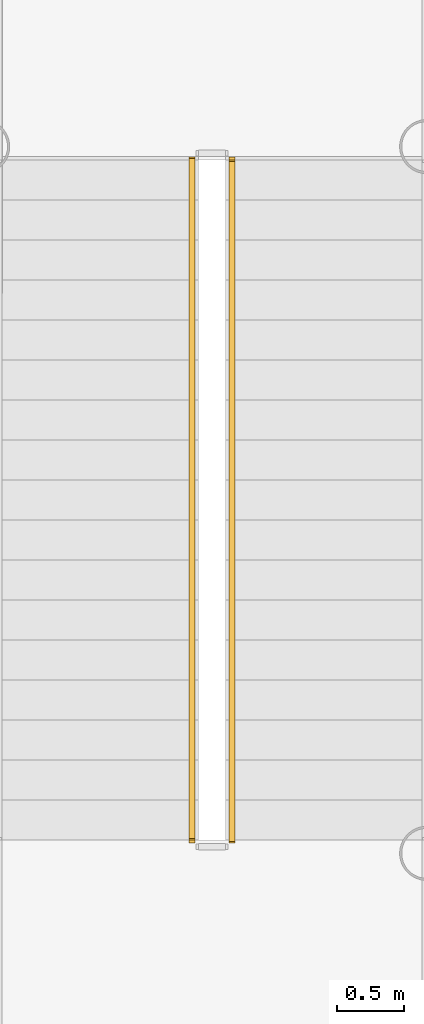
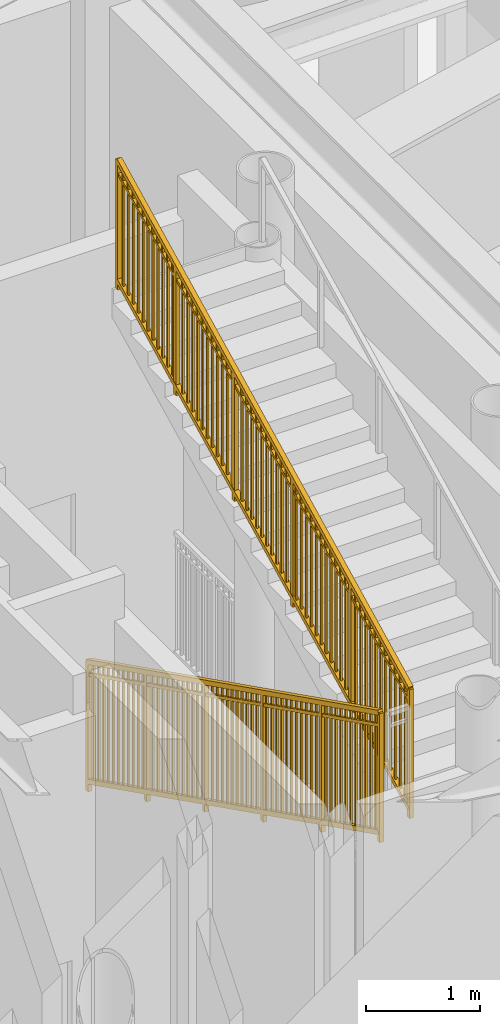
# One storey, part 21 of 22: 2 railings.
"""IFC4 building model written with IfcOpenShell, lengths in metres."""

from ifc_helpers import new_model, si_unit, direction, frame, origin, origin_2d, place, context, subcontext, project, spatial, rectangle, extrude, source, transform, mapped, material, type_object, element, save


model = new_model("IFC4")

# Units and contexts
model_context = context("Model", 3, precision=1e-05, world=origin(), true_north=direction((0.0, 1.0)))
body_context = subcontext(model_context, "Body", "Model", "MODEL_VIEW")
ifc_project = project(units=[si_unit("LENGTHUNIT", "METRE"), si_unit("AREAUNIT", "SQUARE_METRE"), si_unit("VOLUMEUNIT", "CUBIC_METRE"), si_unit("PLANEANGLEUNIT", "RADIAN"), si_unit("MASSUNIT", "GRAM", prefix="KILO")], contexts=[model_context])

# Site, building, storey
site_placement = place(None, origin())
site = spatial("IfcSite", under=ifc_project, at=site_placement, CompositionType="ELEMENT")
building_placement = place(site_placement, origin())
building = spatial("IfcBuilding", under=site, at=building_placement, Name="Linh Dai School and Residence Tower", CompositionType="ELEMENT")
storey_placement = place(building_placement, frame((0.0, 0.0, 87.0)))
storey = spatial("IfcBuildingStorey", under=building, at=storey_placement, Name="L20", CompositionType="ELEMENT", Elevation=87.0)

# Railings
ifc_material = material(Name="Structural Steel S355JR", Category="steel")
railing_type = type_object("IfcRailingType", Name="RL-ST-GUARD-1400", PredefinedType="GUARDRAIL", material=ifc_material)
shared_shape_1 = source(origin(), body_context, "Body", "SweptSolid", [
    extrude(rectangle(XDim=0.048095703125, YDim=0.048095703125, at=origin_2d()), frame((0.0, 0.0, 1.3759765625), z_axis=(0.0, 0.89444431709, 0.44717934168), x_axis=(-1.0, 0.0, 0.0)), (0.0, 0.0, 1.0), 5.701904296875),
    extrude(rectangle(XDim=0.048095703125, YDim=0.048095703125, at=origin_2d()), frame((0.0, 0.0, 0.10009765625), z_axis=(0.0, 0.89444431709, 0.44717934168), x_axis=(-1.0, 0.0, 0.0)), (0.0, 0.0, 1.0), 5.701904296875),
    extrude(rectangle(XDim=0.030029296875, YDim=0.030029296875, at=origin_2d()), frame((0.0, 0.0, 1.239990234375), z_axis=(0.0, 0.89444431709, 0.44717934168), x_axis=(-1.0, 0.0, 0.0)), (0.0, 0.0, 1.0), 5.701904296875),
    extrude(rectangle(XDim=0.02001953125, YDim=0.02001953125, at=origin_2d()), frame((0.0, 0.08642578125, 0.143310546875)), (0.0, 0.0, 1.0), 1.251708984375),
    extrude(rectangle(XDim=0.02001953125, YDim=0.02001953125, at=origin_2d()), frame((0.0, 0.1728515625, 0.1865234375)), (0.0, 0.0, 1.0), 1.251708984375),
    extrude(rectangle(XDim=0.02001953125, YDim=0.02001953125, at=origin_2d()), frame((0.0, 0.25927734375, 0.229736328125)), (0.0, 0.0, 1.0), 1.251708984375),
    extrude(rectangle(XDim=0.02001953125, YDim=0.02001953125, at=origin_2d()), frame((0.0, 0.345703125, 0.27294921875)), (0.0, 0.0, 1.0), 1.251708984375),
    extrude(rectangle(XDim=0.02001953125, YDim=0.02001953125, at=origin_2d()), frame((0.0, 0.43212890625, 0.316162109375)), (0.0, 0.0, 1.0), 1.251708984375),
    extrude(rectangle(XDim=0.02001953125, YDim=0.02001953125, at=origin_2d()), frame((0.0, 0.5185546875, 0.359375)), (0.0, 0.0, 1.0), 1.251708984375),
    extrude(rectangle(XDim=0.02001953125, YDim=0.02001953125, at=origin_2d()), frame((0.0, 0.60498046875, 0.402587890625)), (0.0, 0.0, 1.0), 1.251708984375),
    extrude(rectangle(XDim=0.02001953125, YDim=0.02001953125, at=origin_2d()), frame((0.0, 0.691650390625, 0.44580078125)), (0.0, 0.0, 1.0), 1.251708984375),
    extrude(rectangle(XDim=0.02001953125, YDim=0.02001953125, at=origin_2d()), frame((0.0, 0.778076171875, 0.489013671875)), (0.0, 0.0, 1.0), 1.251708984375),
    extrude(rectangle(XDim=0.02001953125, YDim=0.02001953125, at=origin_2d()), frame((0.0, 0.864501953125, 0.5322265625)), (0.0, 0.0, 1.0), 1.251708984375),
    extrude(rectangle(XDim=0.02001953125, YDim=0.02001953125, at=origin_2d()), frame((0.0, 0.950927734375, 0.575439453125)), (0.0, 0.0, 1.0), 1.251708984375),
    extrude(rectangle(XDim=0.02001953125, YDim=0.02001953125, at=origin_2d()), frame((0.0, 1.123779296875, 0.661865234375)), (0.0, 0.0, 1.0), 1.251708984375),
    extrude(rectangle(XDim=0.02001953125, YDim=0.02001953125, at=origin_2d()), frame((0.0, 1.210205078125, 0.705078125)), (0.0, 0.0, 1.0), 1.251708984375),
    extrude(rectangle(XDim=0.02001953125, YDim=0.02001953125, at=origin_2d()), frame((0.0, 1.296630859375, 0.748291015625)), (0.0, 0.0, 1.0), 1.251708984375),
    extrude(rectangle(XDim=0.02001953125, YDim=0.02001953125, at=origin_2d()), frame((0.0, 1.383056640625, 0.79150390625)), (0.0, 0.0, 1.0), 1.251708984375),
    extrude(rectangle(XDim=0.02001953125, YDim=0.02001953125, at=origin_2d()), frame((0.0, 1.469482421875, 0.834716796875)), (0.0, 0.0, 1.0), 1.251708984375),
    extrude(rectangle(XDim=0.02001953125, YDim=0.02001953125, at=origin_2d()), frame((0.0, 1.555908203125, 0.8779296875)), (0.0, 0.0, 1.0), 1.251708984375),
    extrude(rectangle(XDim=0.02001953125, YDim=0.02001953125, at=origin_2d()), frame((0.0, 1.642333984375, 0.921142578125)), (0.0, 0.0, 1.0), 1.251708984375),
    extrude(rectangle(XDim=0.02001953125, YDim=0.02001953125, at=origin_2d()), frame((0.0, 1.728759765625, 0.96435546875)), (0.0, 0.0, 1.0), 1.251708984375),
    extrude(rectangle(XDim=0.02001953125, YDim=0.02001953125, at=origin_2d()), frame((0.0, 1.815185546875, 1.007568359375)), (0.0, 0.0, 1.0), 1.251708984375),
    extrude(rectangle(XDim=0.02001953125, YDim=0.02001953125, at=origin_2d()), frame((0.0, 1.901611328125, 1.05078125)), (0.0, 0.0, 1.0), 1.251708984375),
    extrude(rectangle(XDim=0.02001953125, YDim=0.02001953125, at=origin_2d()), frame((0.0, 1.98828125, 1.093994140625)), (0.0, 0.0, 1.0), 1.251708984375),
    extrude(rectangle(XDim=0.02001953125, YDim=0.02001953125, at=origin_2d()), frame((0.0, 2.1611328125, 1.180419921875)), (0.0, 0.0, 1.0), 1.251708984375),
    extrude(rectangle(XDim=0.02001953125, YDim=0.02001953125, at=origin_2d()), frame((0.0, 2.24755859375, 1.2236328125)), (0.0, 0.0, 1.0), 1.251708984375),
    extrude(rectangle(XDim=0.02001953125, YDim=0.02001953125, at=origin_2d()), frame((0.0, 2.333984375, 1.266845703125)), (0.0, 0.0, 1.0), 1.251708984375),
    extrude(rectangle(XDim=0.02001953125, YDim=0.02001953125, at=origin_2d()), frame((0.0, 2.42041015625, 1.31005859375)), (0.0, 0.0, 1.0), 1.251708984375),
    extrude(rectangle(XDim=0.02001953125, YDim=0.02001953125, at=origin_2d()), frame((0.0, 2.5068359375, 1.353271484375)), (0.0, 0.0, 1.0), 1.251708984375),
    extrude(rectangle(XDim=0.02001953125, YDim=0.02001953125, at=origin_2d()), frame((0.0, 2.59326171875, 1.396728515625)), (0.0, 0.0, 1.0), 1.251708984375),
    extrude(rectangle(XDim=0.02001953125, YDim=0.02001953125, at=origin_2d()), frame((0.0, 2.6796875, 1.43994140625)), (0.0, 0.0, 1.0), 1.251708984375),
    extrude(rectangle(XDim=0.02001953125, YDim=0.02001953125, at=origin_2d()), frame((0.0, 2.76611328125, 1.483154296875)), (0.0, 0.0, 1.0), 1.251708984375),
    extrude(rectangle(XDim=0.02001953125, YDim=0.02001953125, at=origin_2d()), frame((0.0, 2.8525390625, 1.5263671875)), (0.0, 0.0, 1.0), 1.251708984375),
    extrude(rectangle(XDim=0.02001953125, YDim=0.02001953125, at=origin_2d()), frame((0.0, 2.93896484375, 1.569580078125)), (0.0, 0.0, 1.0), 1.251708984375),
    extrude(rectangle(XDim=0.02001953125, YDim=0.02001953125, at=origin_2d()), frame((0.0, 3.11181640625, 1.656005859375)), (0.0, 0.0, 1.0), 1.251708984375),
    extrude(rectangle(XDim=0.02001953125, YDim=0.02001953125, at=origin_2d()), frame((0.0, 3.198486328125, 1.69921875)), (0.0, 0.0, 1.0), 1.251708984375),
    extrude(rectangle(XDim=0.02001953125, YDim=0.02001953125, at=origin_2d()), frame((0.0, 3.284912109375, 1.742431640625)), (0.0, 0.0, 1.0), 1.251708984375),
    extrude(rectangle(XDim=0.02001953125, YDim=0.02001953125, at=origin_2d()), frame((0.0, 3.371337890625, 1.78564453125)), (0.0, 0.0, 1.0), 1.251708984375),
    extrude(rectangle(XDim=0.02001953125, YDim=0.02001953125, at=origin_2d()), frame((0.0, 3.457763671875, 1.828857421875)), (0.0, 0.0, 1.0), 1.251708984375),
    extrude(rectangle(XDim=0.02001953125, YDim=0.02001953125, at=origin_2d()), frame((0.0, 3.544189453125, 1.8720703125)), (0.0, 0.0, 1.0), 1.251708984375),
    extrude(rectangle(XDim=0.02001953125, YDim=0.02001953125, at=origin_2d()), frame((0.0, 3.630615234375, 1.915283203125)), (0.0, 0.0, 1.0), 1.251708984375),
    extrude(rectangle(XDim=0.02001953125, YDim=0.02001953125, at=origin_2d()), frame((0.0, 3.717041015625, 1.95849609375)), (0.0, 0.0, 1.0), 1.251708984375),
    extrude(rectangle(XDim=0.02001953125, YDim=0.02001953125, at=origin_2d()), frame((0.0, 3.803466796875, 2.001708984375)), (0.0, 0.0, 1.0), 1.251708984375),
    extrude(rectangle(XDim=0.02001953125, YDim=0.02001953125, at=origin_2d()), frame((0.0, 3.889892578125, 2.044921875)), (0.0, 0.0, 1.0), 1.251708984375),
    extrude(rectangle(XDim=0.02001953125, YDim=0.02001953125, at=origin_2d()), frame((0.0, 3.976318359375, 2.088134765625)), (0.0, 0.0, 1.0), 1.251708984375),
    extrude(rectangle(XDim=0.02001953125, YDim=0.02001953125, at=origin_2d()), frame((0.0, 4.149169921875, 2.174560546875)), (0.0, 0.0, 1.0), 1.251708984375),
    extrude(rectangle(XDim=0.02001953125, YDim=0.02001953125, at=origin_2d()), frame((0.0, 4.235595703125, 2.2177734375)), (0.0, 0.0, 1.0), 1.251708984375),
    extrude(rectangle(XDim=0.02001953125, YDim=0.02001953125, at=origin_2d()), frame((0.0, 4.322021484375, 2.260986328125)), (0.0, 0.0, 1.0), 1.251708984375),
    extrude(rectangle(XDim=0.02001953125, YDim=0.02001953125, at=origin_2d()), frame((0.0, 4.408447265625, 2.30419921875)), (0.0, 0.0, 1.0), 1.251708984375),
    extrude(rectangle(XDim=0.02001953125, YDim=0.02001953125, at=origin_2d()), frame((0.0, 4.4951171875, 2.347412109375)), (0.0, 0.0, 1.0), 1.251708984375),
    extrude(rectangle(XDim=0.02001953125, YDim=0.02001953125, at=origin_2d()), frame((0.0, 4.58154296875, 2.390625)), (0.0, 0.0, 1.0), 1.251708984375),
    extrude(rectangle(XDim=0.02001953125, YDim=0.02001953125, at=origin_2d()), frame((0.0, 4.66796875, 2.433837890625)), (0.0, 0.0, 1.0), 1.251708984375),
    extrude(rectangle(XDim=0.02001953125, YDim=0.02001953125, at=origin_2d()), frame((0.0, 4.75439453125, 2.47705078125)), (0.0, 0.0, 1.0), 1.251708984375),
    extrude(rectangle(XDim=0.02001953125, YDim=0.02001953125, at=origin_2d()), frame((0.0, 4.8408203125, 2.520263671875)), (0.0, 0.0, 1.0), 1.251708984375),
    extrude(rectangle(XDim=0.02001953125, YDim=0.02001953125, at=origin_2d()), frame((0.0, 4.92724609375, 2.5634765625)), (0.0, 0.0, 1.0), 1.251708984375),
    extrude(rectangle(XDim=0.02001953125, YDim=0.02001953125, at=origin_2d()), frame((0.0, 5.013671875, 2.606689453125)), (0.0, 0.0, 1.0), 1.251708984375),
    extrude(rectangle(XDim=0.0419921875, YDim=0.0419921875, at=origin_2d()), origin(), (0.0, 0.0, 1.0), 1.3759765625),
    extrude(rectangle(XDim=0.0419921875, YDim=0.0419921875, at=origin_2d()), frame((0.0, 1.02001953125, 0.510009765625)), (0.0, 0.0, 1.0), 1.3759765625),
    extrude(rectangle(XDim=0.0419921875, YDim=0.0419921875, at=origin_2d()), frame((0.0, 2.0400390625, 1.02001953125)), (0.0, 0.0, 1.0), 1.3759765625),
    extrude(rectangle(XDim=0.0419921875, YDim=0.0419921875, at=origin_2d()), frame((0.0, 3.06005859375, 1.52978515625)), (0.0, 0.0, 1.0), 1.3759765625),
    extrude(rectangle(XDim=0.0419921875, YDim=0.0419921875, at=origin_2d()), frame((0.0, 4.080078125, 2.039794921875)), (0.0, 0.0, 1.0), 1.3759765625),
    extrude(rectangle(XDim=0.0419921875, YDim=0.0419921875, at=origin_2d()), frame((0.0, 5.10009765625, 2.5498046875)), (0.0, 0.0, 1.0), 1.3759765625),
])
railing_1_placement = place(storey_placement, frame((42.820068359375, 23.14990234375, 2.85009765625)))
element("IfcRailing", 1, at=railing_1_placement, inside=storey, type_object=railing_type, Name="L20 ST2 stair guard 6", PredefinedType="GUARDRAIL", context=body_context, shape_type="MappedRepresentation", body=[
    mapped(shared_shape_1, transform((0.0, 0.0, 0.0), x_axis=(1.0, 0.0, 0.0), y_axis=(0.0, 1.0, 0.0), z_axis=(0.0, 0.0, 1.0), scale=1.0)),
])
shared_shape_2 = source(origin(), body_context, "Body", "SweptSolid", [
    extrude(rectangle(XDim=0.048095703125, YDim=0.048095703125, at=origin_2d()), frame((0.0, 0.0, 1.3759765625), z_axis=(0.0, -0.894427191, 0.4472135955), x_axis=(1.0, 0.0, 0.0)), (0.0, 0.0, 1.0), 5.7021484375),
    extrude(rectangle(XDim=0.048095703125, YDim=0.048095703125, at=origin_2d()), frame((0.0, 0.0, 0.10009765625), z_axis=(0.0, -0.894427191, 0.4472135955), x_axis=(1.0, 0.0, 0.0)), (0.0, 0.0, 1.0), 5.7021484375),
    extrude(rectangle(XDim=0.030029296875, YDim=0.030029296875, at=origin_2d()), frame((0.0, 0.0, 1.239990234375), z_axis=(0.0, -0.894427191, 0.4472135955), x_axis=(1.0, 0.0, 0.0)), (0.0, 0.0, 1.0), 5.7021484375),
    extrude(rectangle(XDim=0.02001953125, YDim=0.02001953125, at=origin_2d()), frame((0.0, -0.08642578125, 0.143310546875)), (0.0, 0.0, 1.0), 1.251708984375),
    extrude(rectangle(XDim=0.02001953125, YDim=0.02001953125, at=origin_2d()), frame((0.0, -0.1728515625, 0.1865234375)), (0.0, 0.0, 1.0), 1.251708984375),
    extrude(rectangle(XDim=0.02001953125, YDim=0.02001953125, at=origin_2d()), frame((0.0, -0.25927734375, 0.229736328125)), (0.0, 0.0, 1.0), 1.251708984375),
    extrude(rectangle(XDim=0.02001953125, YDim=0.02001953125, at=origin_2d()), frame((0.0, -0.345703125, 0.27294921875)), (0.0, 0.0, 1.0), 1.251708984375),
    extrude(rectangle(XDim=0.02001953125, YDim=0.02001953125, at=origin_2d()), frame((0.0, -0.43212890625, 0.316162109375)), (0.0, 0.0, 1.0), 1.251708984375),
    extrude(rectangle(XDim=0.02001953125, YDim=0.02001953125, at=origin_2d()), frame((0.0, -0.5185546875, 0.359375)), (0.0, 0.0, 1.0), 1.251708984375),
    extrude(rectangle(XDim=0.02001953125, YDim=0.02001953125, at=origin_2d()), frame((0.0, -0.60498046875, 0.402587890625)), (0.0, 0.0, 1.0), 1.251708984375),
    extrude(rectangle(XDim=0.02001953125, YDim=0.02001953125, at=origin_2d()), frame((0.0, -0.691650390625, 0.44580078125)), (0.0, 0.0, 1.0), 1.251708984375),
    extrude(rectangle(XDim=0.02001953125, YDim=0.02001953125, at=origin_2d()), frame((0.0, -0.778076171875, 0.489013671875)), (0.0, 0.0, 1.0), 1.251708984375),
    extrude(rectangle(XDim=0.02001953125, YDim=0.02001953125, at=origin_2d()), frame((0.0, -0.864501953125, 0.5322265625)), (0.0, 0.0, 1.0), 1.251708984375),
    extrude(rectangle(XDim=0.02001953125, YDim=0.02001953125, at=origin_2d()), frame((0.0, -0.950927734375, 0.575439453125)), (0.0, 0.0, 1.0), 1.251708984375),
    extrude(rectangle(XDim=0.02001953125, YDim=0.02001953125, at=origin_2d()), frame((0.0, -1.123779296875, 0.661865234375)), (0.0, 0.0, 1.0), 1.251708984375),
    extrude(rectangle(XDim=0.02001953125, YDim=0.02001953125, at=origin_2d()), frame((0.0, -1.210205078125, 0.705078125)), (0.0, 0.0, 1.0), 1.251708984375),
    extrude(rectangle(XDim=0.02001953125, YDim=0.02001953125, at=origin_2d()), frame((0.0, -1.296630859375, 0.74853515625)), (0.0, 0.0, 1.0), 1.251708984375),
    extrude(rectangle(XDim=0.02001953125, YDim=0.02001953125, at=origin_2d()), frame((0.0, -1.383056640625, 0.791748046875)), (0.0, 0.0, 1.0), 1.251708984375),
    extrude(rectangle(XDim=0.02001953125, YDim=0.02001953125, at=origin_2d()), frame((0.0, -1.469482421875, 0.8349609375)), (0.0, 0.0, 1.0), 1.251708984375),
    extrude(rectangle(XDim=0.02001953125, YDim=0.02001953125, at=origin_2d()), frame((0.0, -1.555908203125, 0.878173828125)), (0.0, 0.0, 1.0), 1.251708984375),
    extrude(rectangle(XDim=0.02001953125, YDim=0.02001953125, at=origin_2d()), frame((0.0, -1.642333984375, 0.92138671875)), (0.0, 0.0, 1.0), 1.251708984375),
    extrude(rectangle(XDim=0.02001953125, YDim=0.02001953125, at=origin_2d()), frame((0.0, -1.728759765625, 0.964599609375)), (0.0, 0.0, 1.0), 1.251708984375),
    extrude(rectangle(XDim=0.02001953125, YDim=0.02001953125, at=origin_2d()), frame((0.0, -1.815185546875, 1.0078125)), (0.0, 0.0, 1.0), 1.251708984375),
    extrude(rectangle(XDim=0.02001953125, YDim=0.02001953125, at=origin_2d()), frame((0.0, -1.901611328125, 1.051025390625)), (0.0, 0.0, 1.0), 1.251708984375),
    extrude(rectangle(XDim=0.02001953125, YDim=0.02001953125, at=origin_2d()), frame((0.0, -1.98828125, 1.09423828125)), (0.0, 0.0, 1.0), 1.251708984375),
    extrude(rectangle(XDim=0.02001953125, YDim=0.02001953125, at=origin_2d()), frame((0.0, -2.1611328125, 1.1806640625)), (0.0, 0.0, 1.0), 1.251708984375),
    extrude(rectangle(XDim=0.02001953125, YDim=0.02001953125, at=origin_2d()), frame((0.0, -2.24755859375, 1.223876953125)), (0.0, 0.0, 1.0), 1.251708984375),
    extrude(rectangle(XDim=0.02001953125, YDim=0.02001953125, at=origin_2d()), frame((0.0, -2.333984375, 1.26708984375)), (0.0, 0.0, 1.0), 1.251708984375),
    extrude(rectangle(XDim=0.02001953125, YDim=0.02001953125, at=origin_2d()), frame((0.0, -2.42041015625, 1.310302734375)), (0.0, 0.0, 1.0), 1.251708984375),
    extrude(rectangle(XDim=0.02001953125, YDim=0.02001953125, at=origin_2d()), frame((0.0, -2.5068359375, 1.353515625)), (0.0, 0.0, 1.0), 1.251708984375),
    extrude(rectangle(XDim=0.02001953125, YDim=0.02001953125, at=origin_2d()), frame((0.0, -2.59326171875, 1.396728515625)), (0.0, 0.0, 1.0), 1.251708984375),
    extrude(rectangle(XDim=0.02001953125, YDim=0.02001953125, at=origin_2d()), frame((0.0, -2.6796875, 1.43994140625)), (0.0, 0.0, 1.0), 1.251708984375),
    extrude(rectangle(XDim=0.02001953125, YDim=0.02001953125, at=origin_2d()), frame((0.0, -2.76611328125, 1.483154296875)), (0.0, 0.0, 1.0), 1.251708984375),
    extrude(rectangle(XDim=0.02001953125, YDim=0.02001953125, at=origin_2d()), frame((0.0, -2.8525390625, 1.5263671875)), (0.0, 0.0, 1.0), 1.251708984375),
    extrude(rectangle(XDim=0.02001953125, YDim=0.02001953125, at=origin_2d()), frame((0.0, -2.93896484375, 1.569580078125)), (0.0, 0.0, 1.0), 1.251708984375),
    extrude(rectangle(XDim=0.02001953125, YDim=0.02001953125, at=origin_2d()), frame((0.0, -3.11181640625, 1.656005859375)), (0.0, 0.0, 1.0), 1.251708984375),
    extrude(rectangle(XDim=0.02001953125, YDim=0.02001953125, at=origin_2d()), frame((0.0, -3.198486328125, 1.69921875)), (0.0, 0.0, 1.0), 1.251708984375),
    extrude(rectangle(XDim=0.02001953125, YDim=0.02001953125, at=origin_2d()), frame((0.0, -3.284912109375, 1.742431640625)), (0.0, 0.0, 1.0), 1.251708984375),
    extrude(rectangle(XDim=0.02001953125, YDim=0.02001953125, at=origin_2d()), frame((0.0, -3.371337890625, 1.78564453125)), (0.0, 0.0, 1.0), 1.251708984375),
    extrude(rectangle(XDim=0.02001953125, YDim=0.02001953125, at=origin_2d()), frame((0.0, -3.457763671875, 1.828857421875)), (0.0, 0.0, 1.0), 1.251708984375),
    extrude(rectangle(XDim=0.02001953125, YDim=0.02001953125, at=origin_2d()), frame((0.0, -3.544189453125, 1.8720703125)), (0.0, 0.0, 1.0), 1.251708984375),
    extrude(rectangle(XDim=0.02001953125, YDim=0.02001953125, at=origin_2d()), frame((0.0, -3.630615234375, 1.915283203125)), (0.0, 0.0, 1.0), 1.251708984375),
    extrude(rectangle(XDim=0.02001953125, YDim=0.02001953125, at=origin_2d()), frame((0.0, -3.717041015625, 1.95849609375)), (0.0, 0.0, 1.0), 1.251708984375),
    extrude(rectangle(XDim=0.02001953125, YDim=0.02001953125, at=origin_2d()), frame((0.0, -3.803466796875, 2.001708984375)), (0.0, 0.0, 1.0), 1.251708984375),
    extrude(rectangle(XDim=0.02001953125, YDim=0.02001953125, at=origin_2d()), frame((0.0, -3.889892578125, 2.045166015625)), (0.0, 0.0, 1.0), 1.251708984375),
    extrude(rectangle(XDim=0.02001953125, YDim=0.02001953125, at=origin_2d()), frame((0.0, -3.976318359375, 2.08837890625)), (0.0, 0.0, 1.0), 1.251708984375),
    extrude(rectangle(XDim=0.02001953125, YDim=0.02001953125, at=origin_2d()), frame((0.0, -4.149169921875, 2.1748046875)), (0.0, 0.0, 1.0), 1.251708984375),
    extrude(rectangle(XDim=0.02001953125, YDim=0.02001953125, at=origin_2d()), frame((0.0, -4.235595703125, 2.218017578125)), (0.0, 0.0, 1.0), 1.251708984375),
    extrude(rectangle(XDim=0.02001953125, YDim=0.02001953125, at=origin_2d()), frame((0.0, -4.322021484375, 2.26123046875)), (0.0, 0.0, 1.0), 1.251708984375),
    extrude(rectangle(XDim=0.02001953125, YDim=0.02001953125, at=origin_2d()), frame((0.0, -4.408447265625, 2.304443359375)), (0.0, 0.0, 1.0), 1.251708984375),
    extrude(rectangle(XDim=0.02001953125, YDim=0.02001953125, at=origin_2d()), frame((0.0, -4.4951171875, 2.34765625)), (0.0, 0.0, 1.0), 1.251708984375),
    extrude(rectangle(XDim=0.02001953125, YDim=0.02001953125, at=origin_2d()), frame((0.0, -4.58154296875, 2.390869140625)), (0.0, 0.0, 1.0), 1.251708984375),
    extrude(rectangle(XDim=0.02001953125, YDim=0.02001953125, at=origin_2d()), frame((0.0, -4.66796875, 2.43408203125)), (0.0, 0.0, 1.0), 1.251708984375),
    extrude(rectangle(XDim=0.02001953125, YDim=0.02001953125, at=origin_2d()), frame((0.0, -4.75439453125, 2.477294921875)), (0.0, 0.0, 1.0), 1.251708984375),
    extrude(rectangle(XDim=0.02001953125, YDim=0.02001953125, at=origin_2d()), frame((0.0, -4.8408203125, 2.5205078125)), (0.0, 0.0, 1.0), 1.251708984375),
    extrude(rectangle(XDim=0.02001953125, YDim=0.02001953125, at=origin_2d()), frame((0.0, -4.92724609375, 2.563720703125)), (0.0, 0.0, 1.0), 1.251708984375),
    extrude(rectangle(XDim=0.02001953125, YDim=0.02001953125, at=origin_2d()), frame((0.0, -5.013671875, 2.60693359375)), (0.0, 0.0, 1.0), 1.251708984375),
    extrude(rectangle(XDim=0.0419921875, YDim=0.0419921875, at=origin_2d()), origin(), (0.0, 0.0, 1.0), 1.3759765625),
    extrude(rectangle(XDim=0.0419921875, YDim=0.0419921875, at=origin_2d()), frame((0.0, -1.02001953125, 0.510009765625)), (0.0, 0.0, 1.0), 1.3759765625),
    extrude(rectangle(XDim=0.0419921875, YDim=0.0419921875, at=origin_2d()), frame((0.0, -2.0400390625, 1.02001953125)), (0.0, 0.0, 1.0), 1.3759765625),
    extrude(rectangle(XDim=0.0419921875, YDim=0.0419921875, at=origin_2d()), frame((0.0, -3.06005859375, 1.530029296875)), (0.0, 0.0, 1.0), 1.3759765625),
    extrude(rectangle(XDim=0.0419921875, YDim=0.0419921875, at=origin_2d()), frame((0.0, -4.080078125, 2.0400390625)), (0.0, 0.0, 1.0), 1.3759765625),
    extrude(rectangle(XDim=0.0419921875, YDim=0.0419921875, at=origin_2d()), frame((0.0, -5.10009765625, 2.550048828125)), (0.0, 0.0, 1.0), 1.3759765625),
])
railing_2_placement = place(storey_placement, frame((42.52001953125, 28.25, 0.14990234375)))
element("IfcRailing", 2, at=railing_2_placement, inside=storey, type_object=railing_type, Name="L20 ST2 stair guard 1", PredefinedType="GUARDRAIL", context=body_context, shape_type="MappedRepresentation", body=[
    mapped(shared_shape_2, transform((0.0, 0.0, 0.0), x_axis=(1.0, 0.0, 0.0), y_axis=(0.0, 1.0, 0.0), z_axis=(0.0, 0.0, 1.0), scale=1.0)),
])

save(model, "model.ifc")
